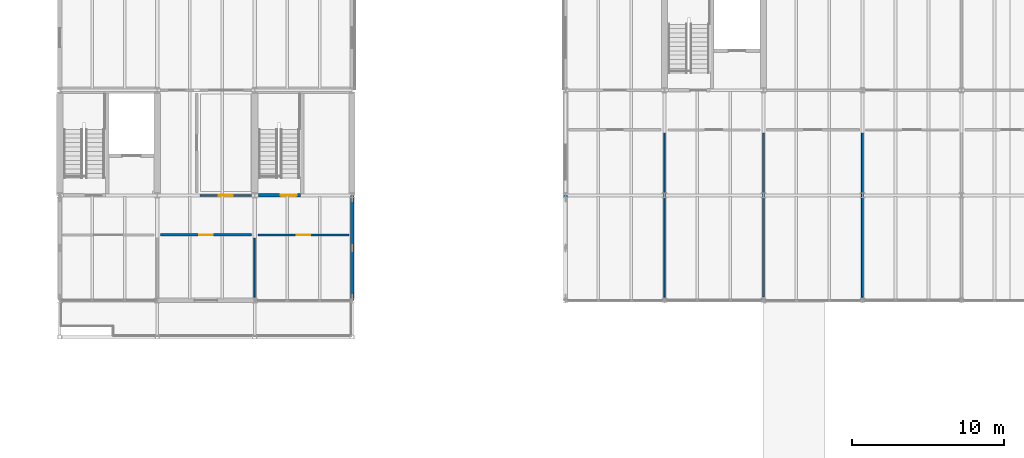
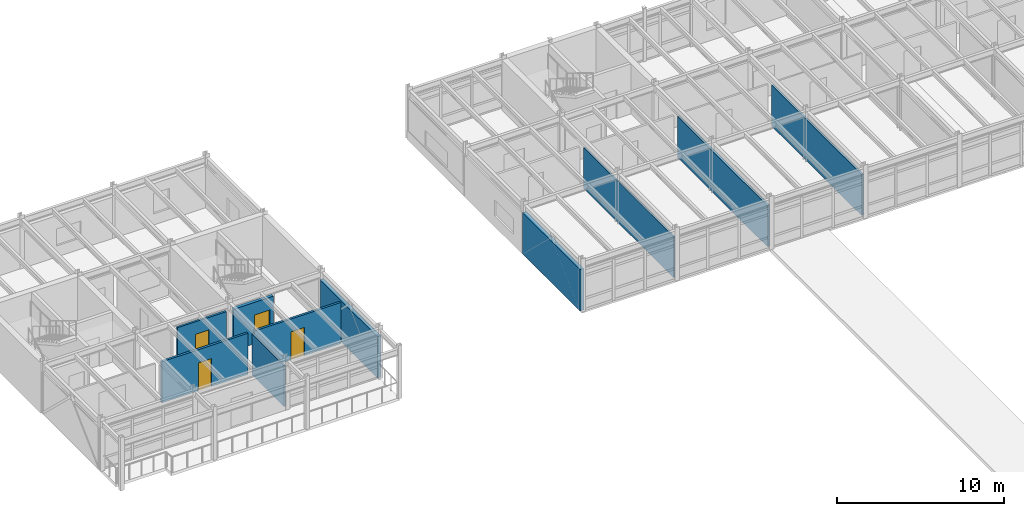
# One storey, part 39 of 49: 10 walls, 4 doors, 4 openings.
"""IFC4 building model written with IfcOpenShell, lengths in metres."""

from ifc_helpers import new_model, si_unit, direction, frame, frame_2d, origin, place, context, subcontext, project, spatial, rectangle, extrude, material, layer, layer_set, type_object, element, fill, save


model = new_model("IFC4")

# Units and contexts
model_context = context("Model", 3, precision=1e-05, world=origin(), true_north=direction((0.0, 1.0)))
body_context = subcontext(model_context, "Body", "Model", "MODEL_VIEW")
ifc_project = project(units=[si_unit("LENGTHUNIT", "METRE"), si_unit("AREAUNIT", "SQUARE_METRE"), si_unit("VOLUMEUNIT", "CUBIC_METRE"), si_unit("PLANEANGLEUNIT", "RADIAN"), si_unit("MASSUNIT", "GRAM", prefix="KILO")], contexts=[model_context])

# Site, building, storey
site_placement = place(None, origin())
site = spatial("IfcSite", under=ifc_project, at=site_placement, CompositionType="ELEMENT")
building_placement = place(site_placement, origin())
building = spatial("IfcBuilding", under=site, at=building_placement, Name="Trelmorton Wharf Fire Station", CompositionType="ELEMENT")
storey_placement = place(building_placement, frame((0.0, 0.0, 9.60009765625)))
storey = spatial("IfcBuildingStorey", under=building, at=storey_placement, Name="L02", CompositionType="ELEMENT", Elevation=9.60009765625)

# Walls
ifc_material_1 = material(Name="Precast concrete 45 MPa", Category="concrete")
ifc_layer_1 = layer(ifc_material_1, 0.25)
ifc_layer_set_1 = layer_set([ifc_layer_1], Name="Precast concrete 45 MPa")
wall_type_1 = type_object("IfcWallType", Name="EW_PREC_250", PredefinedType="SOLIDWALL", material=ifc_layer_set_1)
wall_1_placement = place(storey_placement, frame((90.0, 67.195068359375, 0.0), z_axis=(0.0, 0.0, 1.0), x_axis=(0.0, -1.0, 0.0)))
element("IfcWall", 1, at=wall_1_placement, inside=storey, type_object=wall_type_1, Name="EW-V2-L02-0175", PredefinedType="SOLIDWALL", context=body_context, shape_type="SweptSolid", body=[
    extrude(rectangle(XDim=6.89013671875, YDim=0.25, at=frame_2d((3.445068359375, 0.0))), origin(), (0.0, 0.0, 1.0), 3.02001953125),
])
ifc_layer_2 = layer(ifc_material_1, 0.27001953125)
ifc_layer_set_2 = layer_set([ifc_layer_2], Name="Precast concrete 45 MPa")
wall_type_2 = type_object("IfcWallType", Name="EW_PREC_270", PredefinedType="SOLIDWALL", material=ifc_layer_set_2)
wall_2_placement = place(storey_placement, frame((104.0, 60.304931640625, 0.0), z_axis=(0.0, 0.0, 1.0), x_axis=(0.0, 1.0, 0.0)))
element("IfcWall", 2, at=wall_2_placement, inside=storey, type_object=wall_type_2, Name="EW-V4-L02-0230", PredefinedType="SOLIDWALL", context=body_context, shape_type="SweptSolid", body=[
    extrude(rectangle(XDim=6.89013671875, YDim=0.27001953125, at=frame_2d((3.445068359375, 0.0))), origin(), (0.0, 0.0, 1.0), 3.02001953125),
])

# Wall, opening, door
ifc_material_2 = material(Name="Gypsum plasterboard partition")
ifc_layer_3 = layer(ifc_material_2, 0.14990234375)
ifc_layer_set_3 = layer_set([ifc_layer_3], Name="Gypsum plasterboard partition")
wall_type_3 = type_object("IfcWallType", Name="IW_ACOU_150", PredefinedType="PARTITIONING", material=ifc_layer_set_3)
wall_3_placement = place(storey_placement, frame((83.820068359375, 64.60009765625, 0.0), z_axis=(0.0, 0.0, 1.0), x_axis=(1.0, 0.0, 0.0)))
wall_3 = element("IfcWall", 3, at=wall_3_placement, inside=storey, type_object=wall_type_3, Name="IW-L02-0149", PredefinedType="PARTITIONING", context=body_context, shape_type="SweptSolid", body=[
    extrude(rectangle(XDim=5.9599609375, YDim=0.14990234375, at=frame_2d((2.97998046875, 0.0))), origin(), (0.0, 0.0, 1.0), 3.0),
])
opening_1_placement = place(wall_3_placement, frame((2.52490234375, 0.0, 0.0)))
opening_1 = element("IfcOpeningElement", 4, at=opening_1_placement, cuts=wall_3, Name="Opening D-102", PredefinedType="OPENING", context=body_context, shape_type="SweptSolid", body=[
    extrude(rectangle(XDim=0.909912109375, YDim=2.06005859375, at=frame_2d((0.455078125, 1.030029296875))), frame((0.0, 0.0849609375, 0.0), z_axis=(0.0, -1.0, 0.0), x_axis=(1.0, 0.0, 0.0)), (0.0, 0.0, 1.0), 0.169921875),
])
ifc_material_3 = material(Name="Acoustic timber panelling", Category="wood")
door_type_1 = type_object("IfcDoorType", Name="DR_INT_091", OperationType="NOTDEFINED", PredefinedType="DOOR", material=ifc_material_3)
door_1_placement = place(opening_1_placement, origin())
door_1 = element("IfcDoor", 5, at=door_1_placement, inside=storey, type_object=door_type_1, Name="Interior Door D-102", OperationType="SINGLE_SWING_RIGHT", OverallHeight=2.06005859375, OverallWidth=0.909912109375, PredefinedType="DOOR", context=body_context, shape_type="SweptSolid", body=[
    extrude(rectangle(XDim=0.909912109375, YDim=2.06005859375, at=frame_2d((0.455078125, 1.030029296875))), frame((0.0, 0.02490234375, 0.0), z_axis=(0.0, -1.0, 0.0), x_axis=(1.0, 0.0, 0.0)), (0.0, 0.0, 1.0), 0.050048828125),
])
fill(opening_1, door_1)

# Wall
wall_4_placement = place(storey_placement, frame((117.0, 60.52001953125, 0.0), z_axis=(0.0, 0.0, 1.0), x_axis=(0.0, 1.0, 0.0)))
element("IfcWall", 6, at=wall_4_placement, inside=storey, type_object=wall_type_3, Name="IW-L02-0156", PredefinedType="PARTITIONING", context=body_context, shape_type="SweptSolid", body=[
    extrude(rectangle(XDim=10.760009765625, YDim=0.14990234375, at=frame_2d((5.3798828125, 0.0))), origin(), (0.0, 0.0, 1.0), 3.0),
])

# Wall, opening, door
ifc_layer_4 = layer(ifc_material_2, 0.159912109375)
ifc_layer_set_4 = layer_set([ifc_layer_4], Name="Gypsum plasterboard partition")
wall_type_4 = type_object("IfcWallType", Name="IW_ACOU_160", PredefinedType="PARTITIONING", material=ifc_layer_set_4)
wall_5_placement = place(storey_placement, frame((77.419921875, 64.60009765625, 0.0), z_axis=(0.0, 0.0, 1.0), x_axis=(1.0, 0.0, 0.0)))
wall_5 = element("IfcWall", 7, at=wall_5_placement, inside=storey, type_object=wall_type_4, Name="IW-L02-0148", PredefinedType="PARTITIONING", context=body_context, shape_type="SweptSolid", body=[
    extrude(rectangle(XDim=5.9599609375, YDim=0.159912109375, at=frame_2d((2.97998046875, 0.0))), origin(), (0.0, 0.0, 1.0), 3.0),
])
opening_2_placement = place(wall_5_placement, frame((2.5400390625, 0.0, 0.0)))
opening_2 = element("IfcOpeningElement", 8, at=opening_2_placement, cuts=wall_5, Name="Opening D-101", PredefinedType="OPENING", context=body_context, shape_type="SweptSolid", body=[
    extrude(rectangle(XDim=0.8798828125, YDim=2.0400390625, at=frame_2d((0.43994140625, 1.02001953125))), frame((0.0, 0.08984375, 0.0), z_axis=(0.0, -1.0, 0.0), x_axis=(1.0, 0.0, 0.0)), (0.0, 0.0, 1.0), 0.179931640625),
])
door_type_2 = type_object("IfcDoorType", Name="DR_INT_088", OperationType="NOTDEFINED", PredefinedType="DOOR", material=ifc_material_3)
door_2_placement = place(opening_2_placement, origin())
door_2 = element("IfcDoor", 9, at=door_2_placement, inside=storey, type_object=door_type_2, Name="Interior Door D-101", OperationType="SINGLE_SWING_LEFT", OverallHeight=2.0400390625, OverallWidth=0.8798828125, PredefinedType="DOOR", context=body_context, shape_type="SweptSolid", body=[
    extrude(rectangle(XDim=0.8798828125, YDim=2.0400390625, at=frame_2d((0.43994140625, 1.02001953125))), frame((0.0, 0.02490234375, 0.0), z_axis=(0.0, -1.0, 0.0), x_axis=(1.0, 0.0, 0.0)), (0.0, 0.0, 1.0), 0.050048828125),
])
fill(opening_2, door_2)

ifc_material_4 = material(Name="Concrete 40 MPa", Category="concrete")
ifc_layer_5 = layer(ifc_material_4, 0.219970703125)
ifc_layer_set_5 = layer_set([ifc_layer_5], Name="Concrete 40 MPa")
wall_type_5 = type_object("IfcWallType", Name="IW_CORE_220", PredefinedType="SOLIDWALL", material=ifc_layer_set_5)
wall_6_placement = place(storey_placement, frame((83.860107421875, 67.199951171875, 0.0), z_axis=(0.0, 0.0, 1.0), x_axis=(1.0, 0.0, 0.0)))
wall_6 = element("IfcWall", 10, at=wall_6_placement, inside=storey, type_object=wall_type_5, Name="IW-C6B-SF-L02", PredefinedType="SOLIDWALL", context=body_context, shape_type="SweptSolid", body=[
    extrude(rectangle(XDim=2.739990234375, YDim=0.219970703125, at=frame_2d((1.3701171875, 0.0))), origin(), (0.0, 0.0, 1.0), 3.02001953125),
])
opening_3_placement = place(wall_6_placement, frame((1.43994140625, 0.0, 0.0)))
opening_3 = element("IfcOpeningElement", 11, at=opening_3_placement, cuts=wall_6, Name="Opening FD-037", PredefinedType="OPENING", context=body_context, shape_type="SweptSolid", body=[
    extrude(rectangle(XDim=1.06005859375, YDim=2.10009765625, at=frame_2d((0.530029296875, 1.050048828125))), frame((0.0, 0.1201171875, 0.0), z_axis=(0.0, -1.0, 0.0), x_axis=(1.0, 0.0, 0.0)), (0.0, 0.0, 1.0), 0.239990234375),
])
ifc_material_5 = material(Name="Stainless steel 316 marine grade", Category="steel")
door_type_3 = type_object("IfcDoorType", Name="DR_FIRE_106", OperationType="NOTDEFINED", PredefinedType="DOOR", material=ifc_material_5)
door_3_placement = place(opening_3_placement, origin())
door_3 = element("IfcDoor", 12, at=door_3_placement, inside=storey, type_object=door_type_3, Name="Stair Fire Door FD-037", OperationType="SINGLE_SWING_LEFT", OverallHeight=2.10009765625, OverallWidth=1.06005859375, PredefinedType="DOOR", context=body_context, shape_type="SweptSolid", body=[
    extrude(rectangle(XDim=1.06005859375, YDim=2.10009765625, at=frame_2d((0.530029296875, 1.050048828125))), frame((0.0, 0.02490234375, 0.0), z_axis=(0.0, -1.0, 0.0), x_axis=(1.0, 0.0, 0.0)), (0.0, 0.0, 1.0), 0.050048828125),
])
fill(opening_3, door_3)

# Walls
ifc_layer_6 = layer(ifc_material_2, 0.10009765625)
ifc_layer_set_6 = layer_set([ifc_layer_6], Name="Gypsum plasterboard partition")
wall_type_6 = type_object("IfcWallType", Name="IW_PART_100", PredefinedType="PARTITIONING", material=ifc_layer_set_6)
wall_7_placement = place(storey_placement, frame((83.60009765625, 60.52001953125, 0.0), z_axis=(0.0, 0.0, 1.0), x_axis=(0.0, 1.0, 0.0)))
element("IfcWall", 13, at=wall_7_placement, inside=storey, type_object=wall_type_6, Name="IW-L02-0147", PredefinedType="PARTITIONING", context=body_context, shape_type="SweptSolid", body=[
    extrude(rectangle(XDim=3.85986328125, YDim=0.10009765625, at=frame_2d((1.929931640625, 0.0))), origin(), (0.0, 0.0, 1.0), 3.0),
])
wall_8_placement = place(storey_placement, frame((110.5, 60.52001953125, 0.0), z_axis=(0.0, 0.0, 1.0), x_axis=(0.0, 1.0, 0.0)))
element("IfcWall", 14, at=wall_8_placement, inside=storey, type_object=wall_type_6, Name="IW-L02-0154", PredefinedType="PARTITIONING", context=body_context, shape_type="SweptSolid", body=[
    extrude(rectangle(XDim=10.760009765625, YDim=0.10009765625, at=frame_2d((5.3798828125, 0.0))), origin(), (0.0, 0.0, 1.0), 3.0),
])
ifc_layer_7 = layer(ifc_material_2, 0.1298828125)
ifc_layer_set_7 = layer_set([ifc_layer_7], Name="Gypsum plasterboard partition")
wall_type_7 = type_object("IfcWallType", Name="IW_PART_130", PredefinedType="PARTITIONING", material=ifc_layer_set_7)
wall_9_placement = place(storey_placement, frame((123.5, 60.52001953125, 0.0), z_axis=(0.0, 0.0, 1.0), x_axis=(0.0, 1.0, 0.0)))
element("IfcWall", 15, at=wall_9_placement, inside=storey, type_object=wall_type_7, Name="IW-L02-0158", PredefinedType="PARTITIONING", context=body_context, shape_type="SweptSolid", body=[
    extrude(rectangle(XDim=10.760009765625, YDim=0.1298828125, at=frame_2d((5.3798828125, 0.0))), origin(), (0.0, 0.0, 1.0), 3.0),
])

# Wall, opening, door
ifc_layer_8 = layer(ifc_material_2, 0.139892578125)
ifc_layer_set_8 = layer_set([ifc_layer_8], Name="Gypsum plasterboard partition")
wall_type_8 = type_object("IfcWallType", Name="IW_PART_140", PredefinedType="PARTITIONING", material=ifc_layer_set_8)
wall_10_placement = place(storey_placement, frame((80.02001953125, 67.199951171875, 0.0), z_axis=(0.0, 0.0, 1.0), x_axis=(1.0, 0.0, 0.0)))
wall_10 = element("IfcWall", 16, at=wall_10_placement, inside=storey, type_object=wall_type_8, Name="IW-L02-0150", PredefinedType="PARTITIONING", context=body_context, shape_type="SweptSolid", body=[
    extrude(rectangle(XDim=3.35986328125, YDim=0.139892578125, at=frame_2d((1.679931640625, 0.0))), origin(), (0.0, 0.0, 1.0), 3.0),
])
opening_4_placement = place(wall_10_placement, frame((1.2099609375, 0.0, 0.0)))
opening_4 = element("IfcOpeningElement", 17, at=opening_4_placement, cuts=wall_10, Name="Opening D-103", PredefinedType="OPENING", context=body_context, shape_type="SweptSolid", body=[
    extrude(rectangle(XDim=0.93994140625, YDim=2.080078125, at=frame_2d((0.469970703125, 1.0400390625))), frame((0.0, 0.080078125, 0.0), z_axis=(0.0, -1.0, 0.0), x_axis=(1.0, 0.0, 0.0)), (0.0, 0.0, 1.0), 0.159912109375),
])
door_type_4 = type_object("IfcDoorType", Name="DR_INT_094", OperationType="NOTDEFINED", PredefinedType="DOOR", material=ifc_material_3)
door_4_placement = place(opening_4_placement, origin())
door_4 = element("IfcDoor", 18, at=door_4_placement, inside=storey, type_object=door_type_4, Name="Interior Door D-103", OperationType="SINGLE_SWING_LEFT", OverallHeight=2.080078125, OverallWidth=0.93994140625, PredefinedType="DOOR", context=body_context, shape_type="SweptSolid", body=[
    extrude(rectangle(XDim=0.93994140625, YDim=2.080078125, at=frame_2d((0.469970703125, 1.0400390625))), frame((0.0, 0.02490234375, 0.0), z_axis=(0.0, -1.0, 0.0), x_axis=(1.0, 0.0, 0.0)), (0.0, 0.0, 1.0), 0.050048828125),
])
fill(opening_4, door_4)

save(model, "model.ifc")
